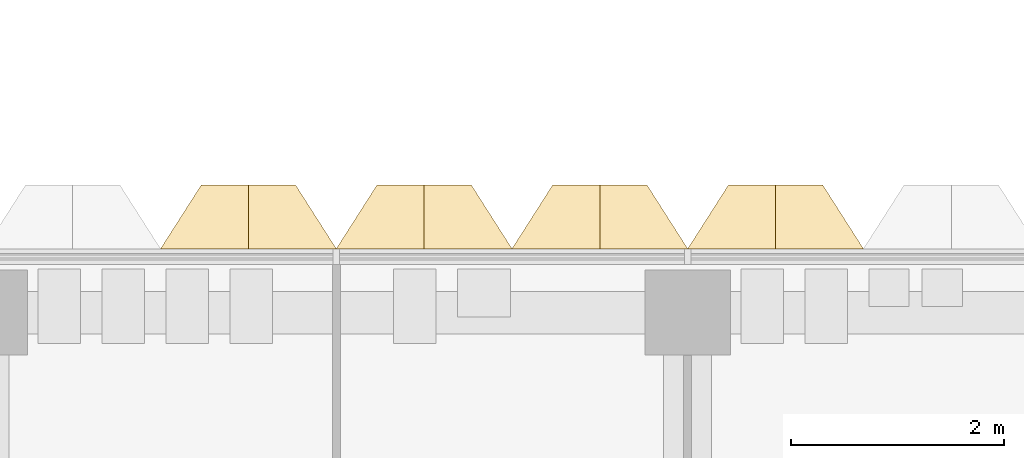
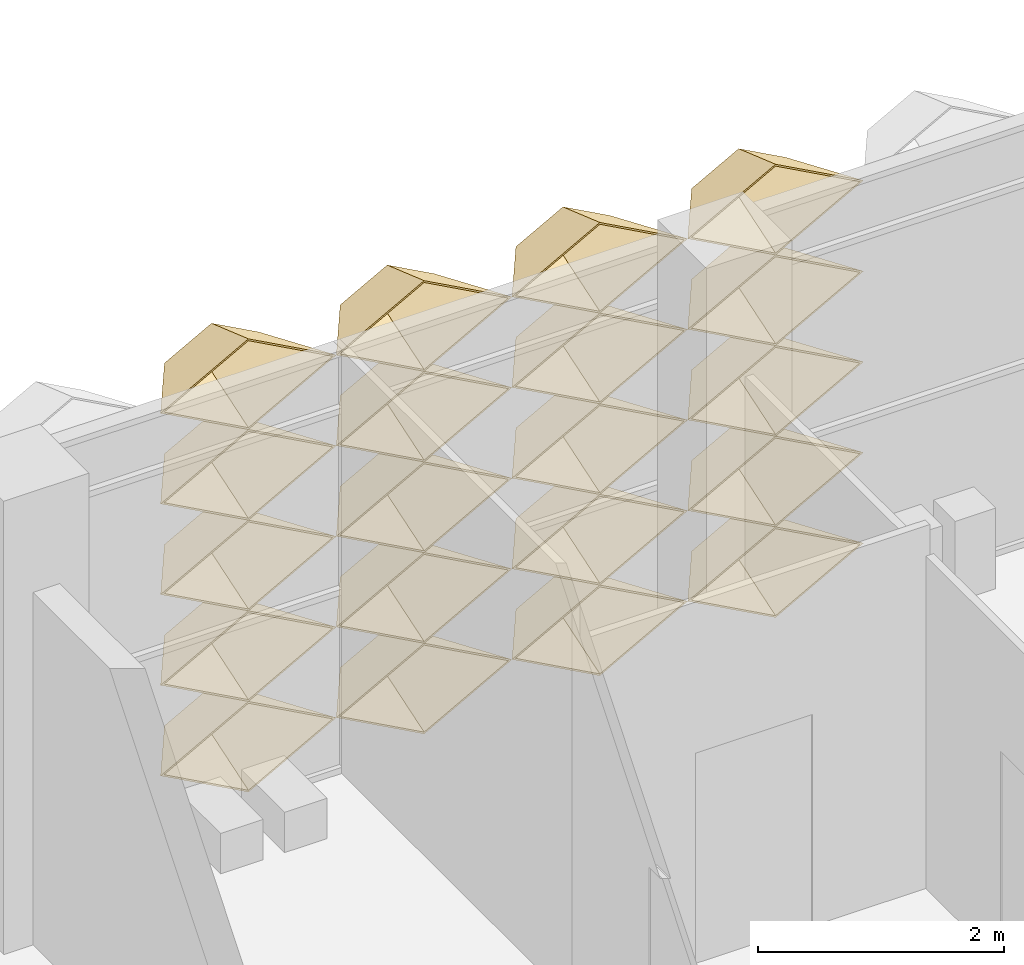
# One storey, part 47 of 61: 20 coverings.
"""IFC4 building model written with IfcOpenShell, lengths in metres."""

from ifc_helpers import new_model, entity, si_unit, direction, frame, origin, place, context, subcontext, project, spatial, material, layer, layer_set, type_object, element, save


model = new_model("IFC4")

# Units and contexts
model_context = context("Model", 3, precision=1e-05, world=origin(), true_north=direction((0.0, 1.0)))
body_context = subcontext(model_context, "Body", "Model", "MODEL_VIEW")
ifc_project = project(units=[si_unit("LENGTHUNIT", "METRE"), si_unit("AREAUNIT", "SQUARE_METRE"), si_unit("VOLUMEUNIT", "CUBIC_METRE"), si_unit("PLANEANGLEUNIT", "RADIAN"), si_unit("MASSUNIT", "GRAM", prefix="KILO")], contexts=[model_context])

# Site, building, storey
site_placement = place(None, origin())
site = spatial("IfcSite", under=ifc_project, at=site_placement, CompositionType="ELEMENT")
building_placement = place(site_placement, origin())
building = spatial("IfcBuilding", under=site, at=building_placement, Name="Lantern Court Research Institute", CompositionType="ELEMENT")
storey_placement = place(building_placement, frame((0.0, 0.0, 23.39990234375)))
storey = spatial("IfcBuildingStorey", under=building, at=storey_placement, Name="L05", CompositionType="ELEMENT", Elevation=23.39990234375)

# Coverings
ifc_material = material(Name="Anodised aluminium", Category="aluminium")
ifc_layer = layer(ifc_material, 0.01611328125)
ifc_layer_set = layer_set([ifc_layer], Name="Anodised aluminium")
covering_type = type_object("IfcCoveringType", Name="Fin cassette 1650 x 900 x 600 aluminium", PredefinedType="CLADDING", material=ifc_layer_set)
covering_1_placement = place(storey_placement, frame((55.27490234375, 23.699951171875, 0.4501953125), z_axis=(0.0, 1.0, 0.0), x_axis=(-1.0, 0.0, 0.0)))
cartesian_point_1 = entity("IfcCartesianPoint", [0.824951171875, 0.0])
cartesian_point_2 = entity("IfcCartesianPoint", [0.79150390625, 0.0])
cartesian_point_3 = entity("IfcCartesianPoint", [0.44189453125, 0.0])
cartesian_point_4 = entity("IfcCartesianPoint", [0.43359375, 0.0])
element("IfcCovering", 1, at=covering_1_placement, inside=storey, type_object=covering_type, Name="Fin cassette V5N-L05 1.34", PredefinedType="CLADDING", context=body_context, shape_type="SweptSolid", body=[
    entity("IfcExtrudedAreaSolidTapered", entity("IfcArbitraryProfileDefWithVoids", "AREA", None, entity("IfcPolyline", [cartesian_point_1, entity("IfcCartesianPoint", [0.0, 0.449951171875]), entity("IfcCartesianPoint", [-0.824951171875, 0.0]), entity("IfcCartesianPoint", [0.0, -0.449951171875]), cartesian_point_1]), [entity("IfcPolyline", [cartesian_point_2, entity("IfcCartesianPoint", [0.0, 0.431884765625]), entity("IfcCartesianPoint", [-0.79150390625, 0.0]), entity("IfcCartesianPoint", [0.0, -0.431884765625]), cartesian_point_2])]), entity("IfcAxis2Placement3D", entity("IfcCartesianPoint", [0.0, 0.0, 0.0])), entity("IfcDirection", [0.0, 0.0, 1.0]), 0.60009765625, entity("IfcArbitraryProfileDefWithVoids", "AREA", None, entity("IfcPolyline", [cartesian_point_3, entity("IfcCartesianPoint", [0.0, 0.240966796875]), entity("IfcCartesianPoint", [-0.44189453125, 0.0]), entity("IfcCartesianPoint", [0.0, -0.240966796875]), cartesian_point_3]), [entity("IfcPolyline", [cartesian_point_4, entity("IfcCartesianPoint", [0.0, 0.236572265625]), entity("IfcCartesianPoint", [-0.43359375, 0.0]), entity("IfcCartesianPoint", [0.0, -0.236572265625]), cartesian_point_4])])),
])
covering_2_placement = place(storey_placement, frame((56.925048828125, 23.699951171875, 0.4501953125), z_axis=(0.0, 1.0, 0.0), x_axis=(-1.0, 0.0, 0.0)))
cartesian_point_5 = entity("IfcCartesianPoint", [0.824951171875, 0.0])
cartesian_point_6 = entity("IfcCartesianPoint", [0.79150390625, 0.0])
cartesian_point_7 = entity("IfcCartesianPoint", [0.44189453125, 0.0])
cartesian_point_8 = entity("IfcCartesianPoint", [0.43359375, 0.0])
element("IfcCovering", 2, at=covering_2_placement, inside=storey, type_object=covering_type, Name="Fin cassette V5N-L05 1.35", PredefinedType="CLADDING", context=body_context, shape_type="SweptSolid", body=[
    entity("IfcExtrudedAreaSolidTapered", entity("IfcArbitraryProfileDefWithVoids", "AREA", None, entity("IfcPolyline", [cartesian_point_5, entity("IfcCartesianPoint", [0.0, 0.449951171875]), entity("IfcCartesianPoint", [-0.824951171875, 0.0]), entity("IfcCartesianPoint", [0.0, -0.449951171875]), cartesian_point_5]), [entity("IfcPolyline", [cartesian_point_6, entity("IfcCartesianPoint", [0.0, 0.431884765625]), entity("IfcCartesianPoint", [-0.79150390625, 0.0]), entity("IfcCartesianPoint", [0.0, -0.431884765625]), cartesian_point_6])]), entity("IfcAxis2Placement3D", entity("IfcCartesianPoint", [0.0, 0.0, 0.0])), entity("IfcDirection", [0.0, 0.0, 1.0]), 0.60009765625, entity("IfcArbitraryProfileDefWithVoids", "AREA", None, entity("IfcPolyline", [cartesian_point_7, entity("IfcCartesianPoint", [0.0, 0.240966796875]), entity("IfcCartesianPoint", [-0.44189453125, 0.0]), entity("IfcCartesianPoint", [0.0, -0.240966796875]), cartesian_point_7]), [entity("IfcPolyline", [cartesian_point_8, entity("IfcCartesianPoint", [0.0, 0.236572265625]), entity("IfcCartesianPoint", [-0.43359375, 0.0]), entity("IfcCartesianPoint", [0.0, -0.236572265625]), cartesian_point_8])])),
])
covering_3_placement = place(storey_placement, frame((58.574951171875, 23.699951171875, 0.4501953125), z_axis=(0.0, 1.0, 0.0), x_axis=(-1.0, 0.0, 0.0)))
cartesian_point_9 = entity("IfcCartesianPoint", [0.824951171875, 0.0])
cartesian_point_10 = entity("IfcCartesianPoint", [0.79150390625, 0.0])
cartesian_point_11 = entity("IfcCartesianPoint", [0.44189453125, 0.0])
cartesian_point_12 = entity("IfcCartesianPoint", [0.43359375, 0.0])
element("IfcCovering", 3, at=covering_3_placement, inside=storey, type_object=covering_type, Name="Fin cassette V5N-L05 1.36", PredefinedType="CLADDING", context=body_context, shape_type="SweptSolid", body=[
    entity("IfcExtrudedAreaSolidTapered", entity("IfcArbitraryProfileDefWithVoids", "AREA", None, entity("IfcPolyline", [cartesian_point_9, entity("IfcCartesianPoint", [0.0, 0.449951171875]), entity("IfcCartesianPoint", [-0.824951171875, 0.0]), entity("IfcCartesianPoint", [0.0, -0.449951171875]), cartesian_point_9]), [entity("IfcPolyline", [cartesian_point_10, entity("IfcCartesianPoint", [0.0, 0.431884765625]), entity("IfcCartesianPoint", [-0.79150390625, 0.0]), entity("IfcCartesianPoint", [0.0, -0.431884765625]), cartesian_point_10])]), entity("IfcAxis2Placement3D", entity("IfcCartesianPoint", [0.0, 0.0, 0.0])), entity("IfcDirection", [0.0, 0.0, 1.0]), 0.60009765625, entity("IfcArbitraryProfileDefWithVoids", "AREA", None, entity("IfcPolyline", [cartesian_point_11, entity("IfcCartesianPoint", [0.0, 0.240966796875]), entity("IfcCartesianPoint", [-0.44189453125, 0.0]), entity("IfcCartesianPoint", [0.0, -0.240966796875]), cartesian_point_11]), [entity("IfcPolyline", [cartesian_point_12, entity("IfcCartesianPoint", [0.0, 0.236572265625]), entity("IfcCartesianPoint", [-0.43359375, 0.0]), entity("IfcCartesianPoint", [0.0, -0.236572265625]), cartesian_point_12])])),
])
covering_4_placement = place(storey_placement, frame((60.22509765625, 23.699951171875, 0.4501953125), z_axis=(0.0, 1.0, 0.0), x_axis=(-1.0, 0.0, 0.0)))
cartesian_point_13 = entity("IfcCartesianPoint", [0.824951171875, 0.0])
cartesian_point_14 = entity("IfcCartesianPoint", [0.79150390625, 0.0])
cartesian_point_15 = entity("IfcCartesianPoint", [0.44189453125, 0.0])
cartesian_point_16 = entity("IfcCartesianPoint", [0.43359375, 0.0])
element("IfcCovering", 4, at=covering_4_placement, inside=storey, type_object=covering_type, Name="Fin cassette V5N-L05 1.37", PredefinedType="CLADDING", context=body_context, shape_type="SweptSolid", body=[
    entity("IfcExtrudedAreaSolidTapered", entity("IfcArbitraryProfileDefWithVoids", "AREA", None, entity("IfcPolyline", [cartesian_point_13, entity("IfcCartesianPoint", [0.0, 0.449951171875]), entity("IfcCartesianPoint", [-0.824951171875, 0.0]), entity("IfcCartesianPoint", [0.0, -0.449951171875]), cartesian_point_13]), [entity("IfcPolyline", [cartesian_point_14, entity("IfcCartesianPoint", [0.0, 0.431884765625]), entity("IfcCartesianPoint", [-0.79150390625, 0.0]), entity("IfcCartesianPoint", [0.0, -0.431884765625]), cartesian_point_14])]), entity("IfcAxis2Placement3D", entity("IfcCartesianPoint", [0.0, 0.0, 0.0])), entity("IfcDirection", [0.0, 0.0, 1.0]), 0.60009765625, entity("IfcArbitraryProfileDefWithVoids", "AREA", None, entity("IfcPolyline", [cartesian_point_15, entity("IfcCartesianPoint", [0.0, 0.240966796875]), entity("IfcCartesianPoint", [-0.44189453125, 0.0]), entity("IfcCartesianPoint", [0.0, -0.240966796875]), cartesian_point_15]), [entity("IfcPolyline", [cartesian_point_16, entity("IfcCartesianPoint", [0.0, 0.236572265625]), entity("IfcCartesianPoint", [-0.43359375, 0.0]), entity("IfcCartesianPoint", [0.0, -0.236572265625]), cartesian_point_16])])),
])
covering_5_placement = place(storey_placement, frame((55.27490234375, 23.699951171875, 1.35009765625), z_axis=(0.0, 1.0, 0.0), x_axis=(-1.0, 0.0, 0.0)))
cartesian_point_17 = entity("IfcCartesianPoint", [0.824951171875, 0.0])
cartesian_point_18 = entity("IfcCartesianPoint", [0.79150390625, 0.0])
cartesian_point_19 = entity("IfcCartesianPoint", [0.44189453125, 0.0])
cartesian_point_20 = entity("IfcCartesianPoint", [0.43359375, 0.0])
element("IfcCovering", 5, at=covering_5_placement, inside=storey, type_object=covering_type, Name="Fin cassette V5N-L05 2.34", PredefinedType="CLADDING", context=body_context, shape_type="SweptSolid", body=[
    entity("IfcExtrudedAreaSolidTapered", entity("IfcArbitraryProfileDefWithVoids", "AREA", None, entity("IfcPolyline", [cartesian_point_17, entity("IfcCartesianPoint", [0.0, 0.449951171875]), entity("IfcCartesianPoint", [-0.824951171875, 0.0]), entity("IfcCartesianPoint", [0.0, -0.449951171875]), cartesian_point_17]), [entity("IfcPolyline", [cartesian_point_18, entity("IfcCartesianPoint", [0.0, 0.431884765625]), entity("IfcCartesianPoint", [-0.79150390625, 0.0]), entity("IfcCartesianPoint", [0.0, -0.431884765625]), cartesian_point_18])]), entity("IfcAxis2Placement3D", entity("IfcCartesianPoint", [0.0, 0.0, 0.0])), entity("IfcDirection", [0.0, 0.0, 1.0]), 0.60009765625, entity("IfcArbitraryProfileDefWithVoids", "AREA", None, entity("IfcPolyline", [cartesian_point_19, entity("IfcCartesianPoint", [0.0, 0.240966796875]), entity("IfcCartesianPoint", [-0.44189453125, 0.0]), entity("IfcCartesianPoint", [0.0, -0.240966796875]), cartesian_point_19]), [entity("IfcPolyline", [cartesian_point_20, entity("IfcCartesianPoint", [0.0, 0.236572265625]), entity("IfcCartesianPoint", [-0.43359375, 0.0]), entity("IfcCartesianPoint", [0.0, -0.236572265625]), cartesian_point_20])])),
])
covering_6_placement = place(storey_placement, frame((56.925048828125, 23.699951171875, 1.35009765625), z_axis=(0.0, 1.0, 0.0), x_axis=(-1.0, 0.0, 0.0)))
cartesian_point_21 = entity("IfcCartesianPoint", [0.824951171875, 0.0])
cartesian_point_22 = entity("IfcCartesianPoint", [0.79150390625, 0.0])
cartesian_point_23 = entity("IfcCartesianPoint", [0.44189453125, 0.0])
cartesian_point_24 = entity("IfcCartesianPoint", [0.43359375, 0.0])
element("IfcCovering", 6, at=covering_6_placement, inside=storey, type_object=covering_type, Name="Fin cassette V5N-L05 2.35", PredefinedType="CLADDING", context=body_context, shape_type="SweptSolid", body=[
    entity("IfcExtrudedAreaSolidTapered", entity("IfcArbitraryProfileDefWithVoids", "AREA", None, entity("IfcPolyline", [cartesian_point_21, entity("IfcCartesianPoint", [0.0, 0.449951171875]), entity("IfcCartesianPoint", [-0.824951171875, 0.0]), entity("IfcCartesianPoint", [0.0, -0.449951171875]), cartesian_point_21]), [entity("IfcPolyline", [cartesian_point_22, entity("IfcCartesianPoint", [0.0, 0.431884765625]), entity("IfcCartesianPoint", [-0.79150390625, 0.0]), entity("IfcCartesianPoint", [0.0, -0.431884765625]), cartesian_point_22])]), entity("IfcAxis2Placement3D", entity("IfcCartesianPoint", [0.0, 0.0, 0.0])), entity("IfcDirection", [0.0, 0.0, 1.0]), 0.60009765625, entity("IfcArbitraryProfileDefWithVoids", "AREA", None, entity("IfcPolyline", [cartesian_point_23, entity("IfcCartesianPoint", [0.0, 0.240966796875]), entity("IfcCartesianPoint", [-0.44189453125, 0.0]), entity("IfcCartesianPoint", [0.0, -0.240966796875]), cartesian_point_23]), [entity("IfcPolyline", [cartesian_point_24, entity("IfcCartesianPoint", [0.0, 0.236572265625]), entity("IfcCartesianPoint", [-0.43359375, 0.0]), entity("IfcCartesianPoint", [0.0, -0.236572265625]), cartesian_point_24])])),
])
covering_7_placement = place(storey_placement, frame((58.574951171875, 23.699951171875, 1.35009765625), z_axis=(0.0, 1.0, 0.0), x_axis=(-1.0, 0.0, 0.0)))
cartesian_point_25 = entity("IfcCartesianPoint", [0.824951171875, 0.0])
cartesian_point_26 = entity("IfcCartesianPoint", [0.79150390625, 0.0])
cartesian_point_27 = entity("IfcCartesianPoint", [0.44189453125, 0.0])
cartesian_point_28 = entity("IfcCartesianPoint", [0.43359375, 0.0])
element("IfcCovering", 7, at=covering_7_placement, inside=storey, type_object=covering_type, Name="Fin cassette V5N-L05 2.36", PredefinedType="CLADDING", context=body_context, shape_type="SweptSolid", body=[
    entity("IfcExtrudedAreaSolidTapered", entity("IfcArbitraryProfileDefWithVoids", "AREA", None, entity("IfcPolyline", [cartesian_point_25, entity("IfcCartesianPoint", [0.0, 0.449951171875]), entity("IfcCartesianPoint", [-0.824951171875, 0.0]), entity("IfcCartesianPoint", [0.0, -0.449951171875]), cartesian_point_25]), [entity("IfcPolyline", [cartesian_point_26, entity("IfcCartesianPoint", [0.0, 0.431884765625]), entity("IfcCartesianPoint", [-0.79150390625, 0.0]), entity("IfcCartesianPoint", [0.0, -0.431884765625]), cartesian_point_26])]), entity("IfcAxis2Placement3D", entity("IfcCartesianPoint", [0.0, 0.0, 0.0])), entity("IfcDirection", [0.0, 0.0, 1.0]), 0.60009765625, entity("IfcArbitraryProfileDefWithVoids", "AREA", None, entity("IfcPolyline", [cartesian_point_27, entity("IfcCartesianPoint", [0.0, 0.240966796875]), entity("IfcCartesianPoint", [-0.44189453125, 0.0]), entity("IfcCartesianPoint", [0.0, -0.240966796875]), cartesian_point_27]), [entity("IfcPolyline", [cartesian_point_28, entity("IfcCartesianPoint", [0.0, 0.236572265625]), entity("IfcCartesianPoint", [-0.43359375, 0.0]), entity("IfcCartesianPoint", [0.0, -0.236572265625]), cartesian_point_28])])),
])
covering_8_placement = place(storey_placement, frame((60.22509765625, 23.699951171875, 1.35009765625), z_axis=(0.0, 1.0, 0.0), x_axis=(-1.0, 0.0, 0.0)))
cartesian_point_29 = entity("IfcCartesianPoint", [0.824951171875, 0.0])
cartesian_point_30 = entity("IfcCartesianPoint", [0.79150390625, 0.0])
cartesian_point_31 = entity("IfcCartesianPoint", [0.44189453125, 0.0])
cartesian_point_32 = entity("IfcCartesianPoint", [0.43359375, 0.0])
element("IfcCovering", 8, at=covering_8_placement, inside=storey, type_object=covering_type, Name="Fin cassette V5N-L05 2.37", PredefinedType="CLADDING", context=body_context, shape_type="SweptSolid", body=[
    entity("IfcExtrudedAreaSolidTapered", entity("IfcArbitraryProfileDefWithVoids", "AREA", None, entity("IfcPolyline", [cartesian_point_29, entity("IfcCartesianPoint", [0.0, 0.449951171875]), entity("IfcCartesianPoint", [-0.824951171875, 0.0]), entity("IfcCartesianPoint", [0.0, -0.449951171875]), cartesian_point_29]), [entity("IfcPolyline", [cartesian_point_30, entity("IfcCartesianPoint", [0.0, 0.431884765625]), entity("IfcCartesianPoint", [-0.79150390625, 0.0]), entity("IfcCartesianPoint", [0.0, -0.431884765625]), cartesian_point_30])]), entity("IfcAxis2Placement3D", entity("IfcCartesianPoint", [0.0, 0.0, 0.0])), entity("IfcDirection", [0.0, 0.0, 1.0]), 0.60009765625, entity("IfcArbitraryProfileDefWithVoids", "AREA", None, entity("IfcPolyline", [cartesian_point_31, entity("IfcCartesianPoint", [0.0, 0.240966796875]), entity("IfcCartesianPoint", [-0.44189453125, 0.0]), entity("IfcCartesianPoint", [0.0, -0.240966796875]), cartesian_point_31]), [entity("IfcPolyline", [cartesian_point_32, entity("IfcCartesianPoint", [0.0, 0.236572265625]), entity("IfcCartesianPoint", [-0.43359375, 0.0]), entity("IfcCartesianPoint", [0.0, -0.236572265625]), cartesian_point_32])])),
])
covering_9_placement = place(storey_placement, frame((55.27490234375, 23.699951171875, 2.25), z_axis=(0.0, 1.0, 0.0), x_axis=(-1.0, 0.0, 0.0)))
cartesian_point_33 = entity("IfcCartesianPoint", [0.824951171875, 0.0])
cartesian_point_34 = entity("IfcCartesianPoint", [0.79150390625, 0.0])
cartesian_point_35 = entity("IfcCartesianPoint", [0.44189453125, 0.0])
cartesian_point_36 = entity("IfcCartesianPoint", [0.43359375, 0.0])
element("IfcCovering", 9, at=covering_9_placement, inside=storey, type_object=covering_type, Name="Fin cassette V5N-L05 3.34", PredefinedType="CLADDING", context=body_context, shape_type="SweptSolid", body=[
    entity("IfcExtrudedAreaSolidTapered", entity("IfcArbitraryProfileDefWithVoids", "AREA", None, entity("IfcPolyline", [cartesian_point_33, entity("IfcCartesianPoint", [0.0, 0.449951171875]), entity("IfcCartesianPoint", [-0.824951171875, 0.0]), entity("IfcCartesianPoint", [0.0, -0.449951171875]), cartesian_point_33]), [entity("IfcPolyline", [cartesian_point_34, entity("IfcCartesianPoint", [0.0, 0.431884765625]), entity("IfcCartesianPoint", [-0.79150390625, 0.0]), entity("IfcCartesianPoint", [0.0, -0.431884765625]), cartesian_point_34])]), entity("IfcAxis2Placement3D", entity("IfcCartesianPoint", [0.0, 0.0, 0.0])), entity("IfcDirection", [0.0, 0.0, 1.0]), 0.60009765625, entity("IfcArbitraryProfileDefWithVoids", "AREA", None, entity("IfcPolyline", [cartesian_point_35, entity("IfcCartesianPoint", [0.0, 0.240966796875]), entity("IfcCartesianPoint", [-0.44189453125, 0.0]), entity("IfcCartesianPoint", [0.0, -0.240966796875]), cartesian_point_35]), [entity("IfcPolyline", [cartesian_point_36, entity("IfcCartesianPoint", [0.0, 0.236572265625]), entity("IfcCartesianPoint", [-0.43359375, 0.0]), entity("IfcCartesianPoint", [0.0, -0.236572265625]), cartesian_point_36])])),
])
covering_10_placement = place(storey_placement, frame((56.925048828125, 23.699951171875, 2.25), z_axis=(0.0, 1.0, 0.0), x_axis=(-1.0, 0.0, 0.0)))
cartesian_point_37 = entity("IfcCartesianPoint", [0.824951171875, 0.0])
cartesian_point_38 = entity("IfcCartesianPoint", [0.79150390625, 0.0])
cartesian_point_39 = entity("IfcCartesianPoint", [0.44189453125, 0.0])
cartesian_point_40 = entity("IfcCartesianPoint", [0.43359375, 0.0])
element("IfcCovering", 10, at=covering_10_placement, inside=storey, type_object=covering_type, Name="Fin cassette V5N-L05 3.35", PredefinedType="CLADDING", context=body_context, shape_type="SweptSolid", body=[
    entity("IfcExtrudedAreaSolidTapered", entity("IfcArbitraryProfileDefWithVoids", "AREA", None, entity("IfcPolyline", [cartesian_point_37, entity("IfcCartesianPoint", [0.0, 0.449951171875]), entity("IfcCartesianPoint", [-0.824951171875, 0.0]), entity("IfcCartesianPoint", [0.0, -0.449951171875]), cartesian_point_37]), [entity("IfcPolyline", [cartesian_point_38, entity("IfcCartesianPoint", [0.0, 0.431884765625]), entity("IfcCartesianPoint", [-0.79150390625, 0.0]), entity("IfcCartesianPoint", [0.0, -0.431884765625]), cartesian_point_38])]), entity("IfcAxis2Placement3D", entity("IfcCartesianPoint", [0.0, 0.0, 0.0])), entity("IfcDirection", [0.0, 0.0, 1.0]), 0.60009765625, entity("IfcArbitraryProfileDefWithVoids", "AREA", None, entity("IfcPolyline", [cartesian_point_39, entity("IfcCartesianPoint", [0.0, 0.240966796875]), entity("IfcCartesianPoint", [-0.44189453125, 0.0]), entity("IfcCartesianPoint", [0.0, -0.240966796875]), cartesian_point_39]), [entity("IfcPolyline", [cartesian_point_40, entity("IfcCartesianPoint", [0.0, 0.236572265625]), entity("IfcCartesianPoint", [-0.43359375, 0.0]), entity("IfcCartesianPoint", [0.0, -0.236572265625]), cartesian_point_40])])),
])
covering_11_placement = place(storey_placement, frame((58.574951171875, 23.699951171875, 2.25), z_axis=(0.0, 1.0, 0.0), x_axis=(-1.0, 0.0, 0.0)))
cartesian_point_41 = entity("IfcCartesianPoint", [0.824951171875, 0.0])
cartesian_point_42 = entity("IfcCartesianPoint", [0.79150390625, 0.0])
cartesian_point_43 = entity("IfcCartesianPoint", [0.44189453125, 0.0])
cartesian_point_44 = entity("IfcCartesianPoint", [0.43359375, 0.0])
element("IfcCovering", 11, at=covering_11_placement, inside=storey, type_object=covering_type, Name="Fin cassette V5N-L05 3.36", PredefinedType="CLADDING", context=body_context, shape_type="SweptSolid", body=[
    entity("IfcExtrudedAreaSolidTapered", entity("IfcArbitraryProfileDefWithVoids", "AREA", None, entity("IfcPolyline", [cartesian_point_41, entity("IfcCartesianPoint", [0.0, 0.449951171875]), entity("IfcCartesianPoint", [-0.824951171875, 0.0]), entity("IfcCartesianPoint", [0.0, -0.449951171875]), cartesian_point_41]), [entity("IfcPolyline", [cartesian_point_42, entity("IfcCartesianPoint", [0.0, 0.431884765625]), entity("IfcCartesianPoint", [-0.79150390625, 0.0]), entity("IfcCartesianPoint", [0.0, -0.431884765625]), cartesian_point_42])]), entity("IfcAxis2Placement3D", entity("IfcCartesianPoint", [0.0, 0.0, 0.0])), entity("IfcDirection", [0.0, 0.0, 1.0]), 0.60009765625, entity("IfcArbitraryProfileDefWithVoids", "AREA", None, entity("IfcPolyline", [cartesian_point_43, entity("IfcCartesianPoint", [0.0, 0.240966796875]), entity("IfcCartesianPoint", [-0.44189453125, 0.0]), entity("IfcCartesianPoint", [0.0, -0.240966796875]), cartesian_point_43]), [entity("IfcPolyline", [cartesian_point_44, entity("IfcCartesianPoint", [0.0, 0.236572265625]), entity("IfcCartesianPoint", [-0.43359375, 0.0]), entity("IfcCartesianPoint", [0.0, -0.236572265625]), cartesian_point_44])])),
])
covering_12_placement = place(storey_placement, frame((60.22509765625, 23.699951171875, 2.25), z_axis=(0.0, 1.0, 0.0), x_axis=(-1.0, 0.0, 0.0)))
cartesian_point_45 = entity("IfcCartesianPoint", [0.824951171875, 0.0])
cartesian_point_46 = entity("IfcCartesianPoint", [0.79150390625, 0.0])
cartesian_point_47 = entity("IfcCartesianPoint", [0.44189453125, 0.0])
cartesian_point_48 = entity("IfcCartesianPoint", [0.43359375, 0.0])
element("IfcCovering", 12, at=covering_12_placement, inside=storey, type_object=covering_type, Name="Fin cassette V5N-L05 3.37", PredefinedType="CLADDING", context=body_context, shape_type="SweptSolid", body=[
    entity("IfcExtrudedAreaSolidTapered", entity("IfcArbitraryProfileDefWithVoids", "AREA", None, entity("IfcPolyline", [cartesian_point_45, entity("IfcCartesianPoint", [0.0, 0.449951171875]), entity("IfcCartesianPoint", [-0.824951171875, 0.0]), entity("IfcCartesianPoint", [0.0, -0.449951171875]), cartesian_point_45]), [entity("IfcPolyline", [cartesian_point_46, entity("IfcCartesianPoint", [0.0, 0.431884765625]), entity("IfcCartesianPoint", [-0.79150390625, 0.0]), entity("IfcCartesianPoint", [0.0, -0.431884765625]), cartesian_point_46])]), entity("IfcAxis2Placement3D", entity("IfcCartesianPoint", [0.0, 0.0, 0.0])), entity("IfcDirection", [0.0, 0.0, 1.0]), 0.60009765625, entity("IfcArbitraryProfileDefWithVoids", "AREA", None, entity("IfcPolyline", [cartesian_point_47, entity("IfcCartesianPoint", [0.0, 0.240966796875]), entity("IfcCartesianPoint", [-0.44189453125, 0.0]), entity("IfcCartesianPoint", [0.0, -0.240966796875]), cartesian_point_47]), [entity("IfcPolyline", [cartesian_point_48, entity("IfcCartesianPoint", [0.0, 0.236572265625]), entity("IfcCartesianPoint", [-0.43359375, 0.0]), entity("IfcCartesianPoint", [0.0, -0.236572265625]), cartesian_point_48])])),
])
covering_13_placement = place(storey_placement, frame((55.27490234375, 23.699951171875, 3.150146484375), z_axis=(0.0, 1.0, 0.0), x_axis=(-1.0, 0.0, 0.0)))
cartesian_point_49 = entity("IfcCartesianPoint", [0.824951171875, 0.0])
cartesian_point_50 = entity("IfcCartesianPoint", [0.79150390625, 0.0])
cartesian_point_51 = entity("IfcCartesianPoint", [0.44189453125, 0.0])
cartesian_point_52 = entity("IfcCartesianPoint", [0.43359375, 0.0])
element("IfcCovering", 13, at=covering_13_placement, inside=storey, type_object=covering_type, Name="Fin cassette V5N-L05 4.34", PredefinedType="CLADDING", context=body_context, shape_type="SweptSolid", body=[
    entity("IfcExtrudedAreaSolidTapered", entity("IfcArbitraryProfileDefWithVoids", "AREA", None, entity("IfcPolyline", [cartesian_point_49, entity("IfcCartesianPoint", [0.0, 0.449951171875]), entity("IfcCartesianPoint", [-0.824951171875, 0.0]), entity("IfcCartesianPoint", [0.0, -0.449951171875]), cartesian_point_49]), [entity("IfcPolyline", [cartesian_point_50, entity("IfcCartesianPoint", [0.0, 0.431884765625]), entity("IfcCartesianPoint", [-0.79150390625, 0.0]), entity("IfcCartesianPoint", [0.0, -0.431884765625]), cartesian_point_50])]), entity("IfcAxis2Placement3D", entity("IfcCartesianPoint", [0.0, 0.0, 0.0])), entity("IfcDirection", [0.0, 0.0, 1.0]), 0.60009765625, entity("IfcArbitraryProfileDefWithVoids", "AREA", None, entity("IfcPolyline", [cartesian_point_51, entity("IfcCartesianPoint", [0.0, 0.240966796875]), entity("IfcCartesianPoint", [-0.44189453125, 0.0]), entity("IfcCartesianPoint", [0.0, -0.240966796875]), cartesian_point_51]), [entity("IfcPolyline", [cartesian_point_52, entity("IfcCartesianPoint", [0.0, 0.236572265625]), entity("IfcCartesianPoint", [-0.43359375, 0.0]), entity("IfcCartesianPoint", [0.0, -0.236572265625]), cartesian_point_52])])),
])
covering_14_placement = place(storey_placement, frame((56.925048828125, 23.699951171875, 3.150146484375), z_axis=(0.0, 1.0, 0.0), x_axis=(-1.0, 0.0, 0.0)))
cartesian_point_53 = entity("IfcCartesianPoint", [0.824951171875, 0.0])
cartesian_point_54 = entity("IfcCartesianPoint", [0.79150390625, 0.0])
cartesian_point_55 = entity("IfcCartesianPoint", [0.44189453125, 0.0])
cartesian_point_56 = entity("IfcCartesianPoint", [0.43359375, 0.0])
element("IfcCovering", 14, at=covering_14_placement, inside=storey, type_object=covering_type, Name="Fin cassette V5N-L05 4.35", PredefinedType="CLADDING", context=body_context, shape_type="SweptSolid", body=[
    entity("IfcExtrudedAreaSolidTapered", entity("IfcArbitraryProfileDefWithVoids", "AREA", None, entity("IfcPolyline", [cartesian_point_53, entity("IfcCartesianPoint", [0.0, 0.449951171875]), entity("IfcCartesianPoint", [-0.824951171875, 0.0]), entity("IfcCartesianPoint", [0.0, -0.449951171875]), cartesian_point_53]), [entity("IfcPolyline", [cartesian_point_54, entity("IfcCartesianPoint", [0.0, 0.431884765625]), entity("IfcCartesianPoint", [-0.79150390625, 0.0]), entity("IfcCartesianPoint", [0.0, -0.431884765625]), cartesian_point_54])]), entity("IfcAxis2Placement3D", entity("IfcCartesianPoint", [0.0, 0.0, 0.0])), entity("IfcDirection", [0.0, 0.0, 1.0]), 0.60009765625, entity("IfcArbitraryProfileDefWithVoids", "AREA", None, entity("IfcPolyline", [cartesian_point_55, entity("IfcCartesianPoint", [0.0, 0.240966796875]), entity("IfcCartesianPoint", [-0.44189453125, 0.0]), entity("IfcCartesianPoint", [0.0, -0.240966796875]), cartesian_point_55]), [entity("IfcPolyline", [cartesian_point_56, entity("IfcCartesianPoint", [0.0, 0.236572265625]), entity("IfcCartesianPoint", [-0.43359375, 0.0]), entity("IfcCartesianPoint", [0.0, -0.236572265625]), cartesian_point_56])])),
])
covering_15_placement = place(storey_placement, frame((58.574951171875, 23.699951171875, 3.150146484375), z_axis=(0.0, 1.0, 0.0), x_axis=(-1.0, 0.0, 0.0)))
cartesian_point_57 = entity("IfcCartesianPoint", [0.824951171875, 0.0])
cartesian_point_58 = entity("IfcCartesianPoint", [0.79150390625, 0.0])
cartesian_point_59 = entity("IfcCartesianPoint", [0.44189453125, 0.0])
cartesian_point_60 = entity("IfcCartesianPoint", [0.43359375, 0.0])
element("IfcCovering", 15, at=covering_15_placement, inside=storey, type_object=covering_type, Name="Fin cassette V5N-L05 4.36", PredefinedType="CLADDING", context=body_context, shape_type="SweptSolid", body=[
    entity("IfcExtrudedAreaSolidTapered", entity("IfcArbitraryProfileDefWithVoids", "AREA", None, entity("IfcPolyline", [cartesian_point_57, entity("IfcCartesianPoint", [0.0, 0.449951171875]), entity("IfcCartesianPoint", [-0.824951171875, 0.0]), entity("IfcCartesianPoint", [0.0, -0.449951171875]), cartesian_point_57]), [entity("IfcPolyline", [cartesian_point_58, entity("IfcCartesianPoint", [0.0, 0.431884765625]), entity("IfcCartesianPoint", [-0.79150390625, 0.0]), entity("IfcCartesianPoint", [0.0, -0.431884765625]), cartesian_point_58])]), entity("IfcAxis2Placement3D", entity("IfcCartesianPoint", [0.0, 0.0, 0.0])), entity("IfcDirection", [0.0, 0.0, 1.0]), 0.60009765625, entity("IfcArbitraryProfileDefWithVoids", "AREA", None, entity("IfcPolyline", [cartesian_point_59, entity("IfcCartesianPoint", [0.0, 0.240966796875]), entity("IfcCartesianPoint", [-0.44189453125, 0.0]), entity("IfcCartesianPoint", [0.0, -0.240966796875]), cartesian_point_59]), [entity("IfcPolyline", [cartesian_point_60, entity("IfcCartesianPoint", [0.0, 0.236572265625]), entity("IfcCartesianPoint", [-0.43359375, 0.0]), entity("IfcCartesianPoint", [0.0, -0.236572265625]), cartesian_point_60])])),
])
covering_16_placement = place(storey_placement, frame((60.22509765625, 23.699951171875, 3.150146484375), z_axis=(0.0, 1.0, 0.0), x_axis=(-1.0, 0.0, 0.0)))
cartesian_point_61 = entity("IfcCartesianPoint", [0.824951171875, 0.0])
cartesian_point_62 = entity("IfcCartesianPoint", [0.79150390625, 0.0])
cartesian_point_63 = entity("IfcCartesianPoint", [0.44189453125, 0.0])
cartesian_point_64 = entity("IfcCartesianPoint", [0.43359375, 0.0])
element("IfcCovering", 16, at=covering_16_placement, inside=storey, type_object=covering_type, Name="Fin cassette V5N-L05 4.37", PredefinedType="CLADDING", context=body_context, shape_type="SweptSolid", body=[
    entity("IfcExtrudedAreaSolidTapered", entity("IfcArbitraryProfileDefWithVoids", "AREA", None, entity("IfcPolyline", [cartesian_point_61, entity("IfcCartesianPoint", [0.0, 0.449951171875]), entity("IfcCartesianPoint", [-0.824951171875, 0.0]), entity("IfcCartesianPoint", [0.0, -0.449951171875]), cartesian_point_61]), [entity("IfcPolyline", [cartesian_point_62, entity("IfcCartesianPoint", [0.0, 0.431884765625]), entity("IfcCartesianPoint", [-0.79150390625, 0.0]), entity("IfcCartesianPoint", [0.0, -0.431884765625]), cartesian_point_62])]), entity("IfcAxis2Placement3D", entity("IfcCartesianPoint", [0.0, 0.0, 0.0])), entity("IfcDirection", [0.0, 0.0, 1.0]), 0.60009765625, entity("IfcArbitraryProfileDefWithVoids", "AREA", None, entity("IfcPolyline", [cartesian_point_63, entity("IfcCartesianPoint", [0.0, 0.240966796875]), entity("IfcCartesianPoint", [-0.44189453125, 0.0]), entity("IfcCartesianPoint", [0.0, -0.240966796875]), cartesian_point_63]), [entity("IfcPolyline", [cartesian_point_64, entity("IfcCartesianPoint", [0.0, 0.236572265625]), entity("IfcCartesianPoint", [-0.43359375, 0.0]), entity("IfcCartesianPoint", [0.0, -0.236572265625]), cartesian_point_64])])),
])
covering_17_placement = place(storey_placement, frame((55.27490234375, 23.699951171875, 4.050048828125), z_axis=(0.0, 1.0, 0.0), x_axis=(-1.0, 0.0, 0.0)))
cartesian_point_65 = entity("IfcCartesianPoint", [0.824951171875, 0.0])
cartesian_point_66 = entity("IfcCartesianPoint", [0.79150390625, 0.0])
cartesian_point_67 = entity("IfcCartesianPoint", [0.44189453125, 0.0])
cartesian_point_68 = entity("IfcCartesianPoint", [0.43359375, 0.0])
element("IfcCovering", 17, at=covering_17_placement, inside=storey, type_object=covering_type, Name="Fin cassette V5N-L05 5.34", PredefinedType="CLADDING", context=body_context, shape_type="SweptSolid", body=[
    entity("IfcExtrudedAreaSolidTapered", entity("IfcArbitraryProfileDefWithVoids", "AREA", None, entity("IfcPolyline", [cartesian_point_65, entity("IfcCartesianPoint", [0.0, 0.449951171875]), entity("IfcCartesianPoint", [-0.824951171875, 0.0]), entity("IfcCartesianPoint", [0.0, -0.449951171875]), cartesian_point_65]), [entity("IfcPolyline", [cartesian_point_66, entity("IfcCartesianPoint", [0.0, 0.431884765625]), entity("IfcCartesianPoint", [-0.79150390625, 0.0]), entity("IfcCartesianPoint", [0.0, -0.431884765625]), cartesian_point_66])]), entity("IfcAxis2Placement3D", entity("IfcCartesianPoint", [0.0, 0.0, 0.0])), entity("IfcDirection", [0.0, 0.0, 1.0]), 0.60009765625, entity("IfcArbitraryProfileDefWithVoids", "AREA", None, entity("IfcPolyline", [cartesian_point_67, entity("IfcCartesianPoint", [0.0, 0.240966796875]), entity("IfcCartesianPoint", [-0.44189453125, 0.0]), entity("IfcCartesianPoint", [0.0, -0.240966796875]), cartesian_point_67]), [entity("IfcPolyline", [cartesian_point_68, entity("IfcCartesianPoint", [0.0, 0.236572265625]), entity("IfcCartesianPoint", [-0.43359375, 0.0]), entity("IfcCartesianPoint", [0.0, -0.236572265625]), cartesian_point_68])])),
])
covering_18_placement = place(storey_placement, frame((56.925048828125, 23.699951171875, 4.050048828125), z_axis=(0.0, 1.0, 0.0), x_axis=(-1.0, 0.0, 0.0)))
cartesian_point_69 = entity("IfcCartesianPoint", [0.824951171875, 0.0])
cartesian_point_70 = entity("IfcCartesianPoint", [0.79150390625, 0.0])
cartesian_point_71 = entity("IfcCartesianPoint", [0.44189453125, 0.0])
cartesian_point_72 = entity("IfcCartesianPoint", [0.43359375, 0.0])
element("IfcCovering", 18, at=covering_18_placement, inside=storey, type_object=covering_type, Name="Fin cassette V5N-L05 5.35", PredefinedType="CLADDING", context=body_context, shape_type="SweptSolid", body=[
    entity("IfcExtrudedAreaSolidTapered", entity("IfcArbitraryProfileDefWithVoids", "AREA", None, entity("IfcPolyline", [cartesian_point_69, entity("IfcCartesianPoint", [0.0, 0.449951171875]), entity("IfcCartesianPoint", [-0.824951171875, 0.0]), entity("IfcCartesianPoint", [0.0, -0.449951171875]), cartesian_point_69]), [entity("IfcPolyline", [cartesian_point_70, entity("IfcCartesianPoint", [0.0, 0.431884765625]), entity("IfcCartesianPoint", [-0.79150390625, 0.0]), entity("IfcCartesianPoint", [0.0, -0.431884765625]), cartesian_point_70])]), entity("IfcAxis2Placement3D", entity("IfcCartesianPoint", [0.0, 0.0, 0.0])), entity("IfcDirection", [0.0, 0.0, 1.0]), 0.60009765625, entity("IfcArbitraryProfileDefWithVoids", "AREA", None, entity("IfcPolyline", [cartesian_point_71, entity("IfcCartesianPoint", [0.0, 0.240966796875]), entity("IfcCartesianPoint", [-0.44189453125, 0.0]), entity("IfcCartesianPoint", [0.0, -0.240966796875]), cartesian_point_71]), [entity("IfcPolyline", [cartesian_point_72, entity("IfcCartesianPoint", [0.0, 0.236572265625]), entity("IfcCartesianPoint", [-0.43359375, 0.0]), entity("IfcCartesianPoint", [0.0, -0.236572265625]), cartesian_point_72])])),
])
covering_19_placement = place(storey_placement, frame((58.574951171875, 23.699951171875, 4.050048828125), z_axis=(0.0, 1.0, 0.0), x_axis=(-1.0, 0.0, 0.0)))
cartesian_point_73 = entity("IfcCartesianPoint", [0.824951171875, 0.0])
cartesian_point_74 = entity("IfcCartesianPoint", [0.79150390625, 0.0])
cartesian_point_75 = entity("IfcCartesianPoint", [0.44189453125, 0.0])
cartesian_point_76 = entity("IfcCartesianPoint", [0.43359375, 0.0])
element("IfcCovering", 19, at=covering_19_placement, inside=storey, type_object=covering_type, Name="Fin cassette V5N-L05 5.36", PredefinedType="CLADDING", context=body_context, shape_type="SweptSolid", body=[
    entity("IfcExtrudedAreaSolidTapered", entity("IfcArbitraryProfileDefWithVoids", "AREA", None, entity("IfcPolyline", [cartesian_point_73, entity("IfcCartesianPoint", [0.0, 0.449951171875]), entity("IfcCartesianPoint", [-0.824951171875, 0.0]), entity("IfcCartesianPoint", [0.0, -0.449951171875]), cartesian_point_73]), [entity("IfcPolyline", [cartesian_point_74, entity("IfcCartesianPoint", [0.0, 0.431884765625]), entity("IfcCartesianPoint", [-0.79150390625, 0.0]), entity("IfcCartesianPoint", [0.0, -0.431884765625]), cartesian_point_74])]), entity("IfcAxis2Placement3D", entity("IfcCartesianPoint", [0.0, 0.0, 0.0])), entity("IfcDirection", [0.0, 0.0, 1.0]), 0.60009765625, entity("IfcArbitraryProfileDefWithVoids", "AREA", None, entity("IfcPolyline", [cartesian_point_75, entity("IfcCartesianPoint", [0.0, 0.240966796875]), entity("IfcCartesianPoint", [-0.44189453125, 0.0]), entity("IfcCartesianPoint", [0.0, -0.240966796875]), cartesian_point_75]), [entity("IfcPolyline", [cartesian_point_76, entity("IfcCartesianPoint", [0.0, 0.236572265625]), entity("IfcCartesianPoint", [-0.43359375, 0.0]), entity("IfcCartesianPoint", [0.0, -0.236572265625]), cartesian_point_76])])),
])
covering_20_placement = place(storey_placement, frame((60.22509765625, 23.699951171875, 4.050048828125), z_axis=(0.0, 1.0, 0.0), x_axis=(-1.0, 0.0, 0.0)))
cartesian_point_77 = entity("IfcCartesianPoint", [0.824951171875, 0.0])
cartesian_point_78 = entity("IfcCartesianPoint", [0.79150390625, 0.0])
cartesian_point_79 = entity("IfcCartesianPoint", [0.44189453125, 0.0])
cartesian_point_80 = entity("IfcCartesianPoint", [0.43359375, 0.0])
element("IfcCovering", 20, at=covering_20_placement, inside=storey, type_object=covering_type, Name="Fin cassette V5N-L05 5.37", PredefinedType="CLADDING", context=body_context, shape_type="SweptSolid", body=[
    entity("IfcExtrudedAreaSolidTapered", entity("IfcArbitraryProfileDefWithVoids", "AREA", None, entity("IfcPolyline", [cartesian_point_77, entity("IfcCartesianPoint", [0.0, 0.449951171875]), entity("IfcCartesianPoint", [-0.824951171875, 0.0]), entity("IfcCartesianPoint", [0.0, -0.449951171875]), cartesian_point_77]), [entity("IfcPolyline", [cartesian_point_78, entity("IfcCartesianPoint", [0.0, 0.431884765625]), entity("IfcCartesianPoint", [-0.79150390625, 0.0]), entity("IfcCartesianPoint", [0.0, -0.431884765625]), cartesian_point_78])]), entity("IfcAxis2Placement3D", entity("IfcCartesianPoint", [0.0, 0.0, 0.0])), entity("IfcDirection", [0.0, 0.0, 1.0]), 0.60009765625, entity("IfcArbitraryProfileDefWithVoids", "AREA", None, entity("IfcPolyline", [cartesian_point_79, entity("IfcCartesianPoint", [0.0, 0.240966796875]), entity("IfcCartesianPoint", [-0.44189453125, 0.0]), entity("IfcCartesianPoint", [0.0, -0.240966796875]), cartesian_point_79]), [entity("IfcPolyline", [cartesian_point_80, entity("IfcCartesianPoint", [0.0, 0.236572265625]), entity("IfcCartesianPoint", [-0.43359375, 0.0]), entity("IfcCartesianPoint", [0.0, -0.236572265625]), cartesian_point_80])])),
])

save(model, "model.ifc")
